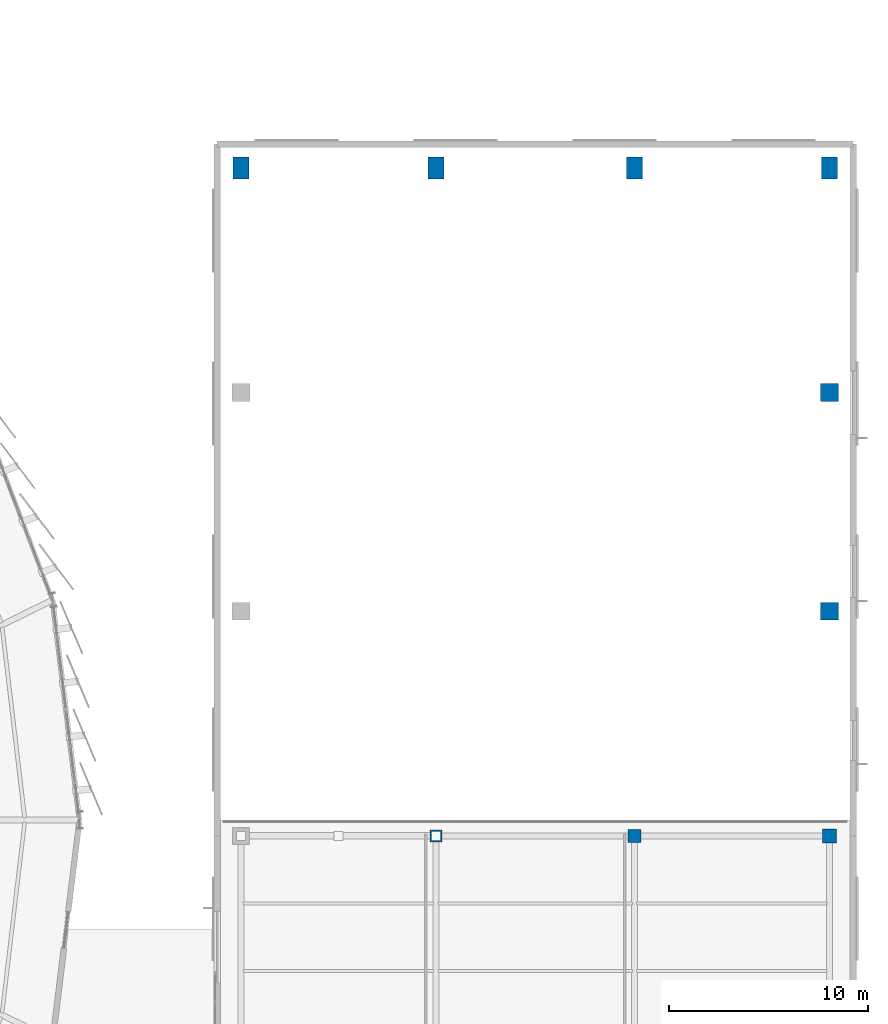
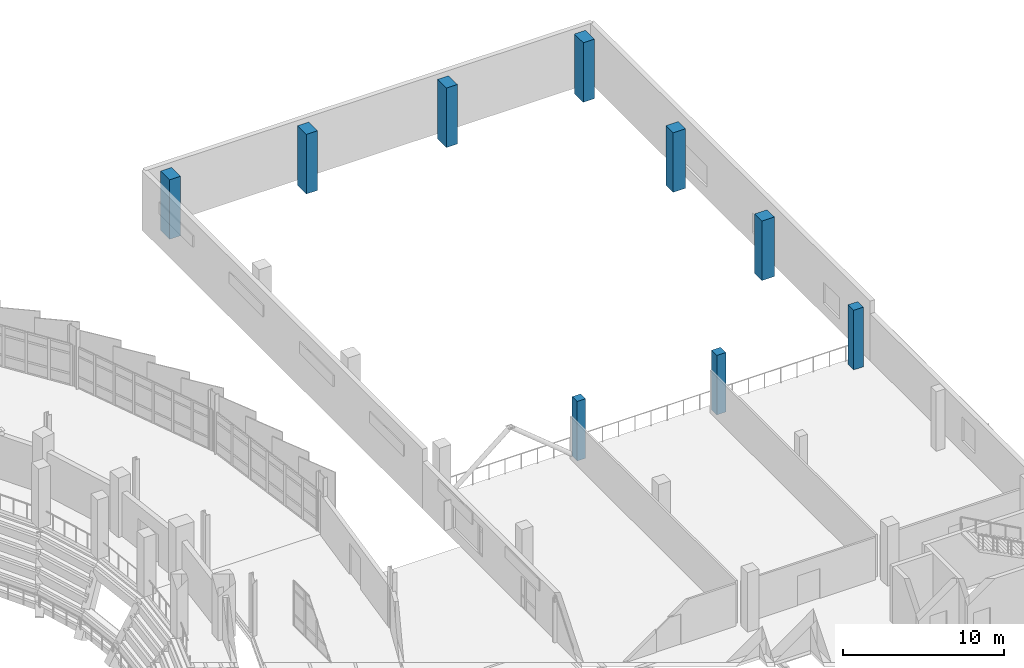
# One storey, part 23 of 134: 9 columns.
"""IFC4 building model written with IfcOpenShell, lengths in metres."""

from ifc_helpers import new_model, si_unit, direction, frame, origin, origin_2d, place, context, subcontext, project, spatial, rectangle, extrude, material, material_profile, profile_set, type_object, element, save


model = new_model("IFC4")

# Units and contexts
model_context = context("Model", 3, precision=1e-05, world=origin(), true_north=direction((0.0, 1.0)))
body_context = subcontext(model_context, "Body", "Model", "MODEL_VIEW")
ifc_project = project(units=[si_unit("LENGTHUNIT", "METRE"), si_unit("AREAUNIT", "SQUARE_METRE"), si_unit("VOLUMEUNIT", "CUBIC_METRE"), si_unit("PLANEANGLEUNIT", "RADIAN"), si_unit("MASSUNIT", "GRAM", prefix="KILO")], contexts=[model_context])

# Site, building, storey
site_placement = place(None, origin())
site = spatial("IfcSite", under=ifc_project, at=site_placement, CompositionType="ELEMENT")
building_placement = place(site_placement, origin())
building = spatial("IfcBuilding", under=site, at=building_placement, Name="Sohan Crest Arena", CompositionType="ELEMENT")
storey_placement = place(building_placement, frame((0.0, 0.0, 4.5)))
storey = spatial("IfcBuildingStorey", under=building, at=storey_placement, Name="L01", CompositionType="ELEMENT", Elevation=4.5)

# Columns
ifc_material = material(Name="Concrete C40/50", Category="concrete")
ifc_material_profile_1 = material_profile(ifc_material, rectangle(XDim=0.60009765625, YDim=0.60009765625, at=origin_2d()), Name="RC 600x600")
ifc_profile_set_1 = profile_set([ifc_material_profile_1], Name="Concrete C40/50")
column_type_1 = type_object("IfcColumnType", Name="STR-COL-C01", PredefinedType="COLUMN", material=ifc_profile_set_1)
column_1_placement = place(storey_placement, frame((206.0, 77.199951171875, 0.0), z_axis=(0.0, 0.0, 1.0), x_axis=(1.0, 0.0, 0.0)))
element("IfcColumn", 1, at=column_1_placement, inside=storey, type_object=column_type_1, Name="Structural column COL-V4S-24-L01", PredefinedType="COLUMN", context=body_context, shape_type="SweptSolid", body=[
    extrude(rectangle(XDim=0.60009765625, YDim=0.60009765625, at=origin_2d()), origin(), (0.0, 0.0, 1.0), 4.5),
])
ifc_material_profile_2 = material_profile(ifc_material, rectangle(XDim=0.64990234375, YDim=0.64990234375, at=origin_2d()), Name="RC 650x650")
ifc_profile_set_2 = profile_set([ifc_material_profile_2], Name="Concrete C40/50")
column_type_2 = type_object("IfcColumnType", Name="STR-COL-C02", PredefinedType="COLUMN", material=ifc_profile_set_2)
column_2_placement = place(storey_placement, frame((216.0, 77.199951171875, 0.0), z_axis=(0.0, 0.0, 1.0), x_axis=(1.0, 0.0, 0.0)))
element("IfcColumn", 2, at=column_2_placement, inside=storey, type_object=column_type_2, Name="Structural column COL-V4S-34-L01", PredefinedType="COLUMN", context=body_context, shape_type="SweptSolid", body=[
    extrude(rectangle(XDim=0.64990234375, YDim=0.64990234375, at=origin_2d()), origin(), (0.0, 0.0, 1.0), 4.5),
])
ifc_material_profile_3 = material_profile(ifc_material, rectangle(XDim=0.699951171875, YDim=0.699951171875, at=origin_2d()), Name="RC 700x700")
ifc_profile_set_3 = profile_set([ifc_material_profile_3], Name="Concrete C40/50")
column_type_3 = type_object("IfcColumnType", Name="STR-COL-C03", PredefinedType="COLUMN", material=ifc_profile_set_3)
column_3_placement = place(storey_placement, frame((225.800048828125, 77.199951171875, 0.0), z_axis=(0.0, 0.0, 1.0), x_axis=(1.0, 0.0, 0.0)))
element("IfcColumn", 3, at=column_3_placement, inside=storey, type_object=column_type_3, Name="Structural column COL-V4S-44-L01", PredefinedType="COLUMN", context=body_context, shape_type="SweptSolid", body=[
    extrude(rectangle(XDim=0.699951171875, YDim=0.699951171875, at=origin_2d()), origin(), (0.0, 0.0, 1.0), 4.5),
])
ifc_material_profile_4 = material_profile(ifc_material, rectangle(XDim=0.89990234375, YDim=0.89990234375, at=origin_2d()), Name="RC 900x900")
ifc_profile_set_4 = profile_set([ifc_material_profile_4], Name="Concrete C40/50")
column_type_4 = type_object("IfcColumnType", Name="STR-COL-C07", PredefinedType="COLUMN", material=ifc_profile_set_4)
for number, where, z_axis, x_axis, name in (
    (4, (225.800048828125, 88.5, 0.0), (0.0, 0.0, 1.0), (1.0, 0.0, 0.0), "Structural column COL-V4G-E1-L01"),
    (5, (225.800048828125, 99.5, 0.0), (0.0, 0.0, 1.0), (1.0, 0.0, 0.0), "Structural column COL-V4G-E2-L01"),
):
    element("IfcColumn", number, at=place(storey_placement, frame(where, z_axis=z_axis, x_axis=x_axis)), inside=storey, type_object=column_type_4, Name=name, PredefinedType="COLUMN", context=body_context, shape_type="SweptSolid", body=[
        extrude(rectangle(XDim=0.89990234375, YDim=0.89990234375, at=origin_2d()), origin(), (0.0, 0.0, 1.0), 4.5),
    ])
ifc_material_profile_5 = material_profile(ifc_material, rectangle(XDim=1.10009765625, YDim=0.800048828125, at=origin_2d()), Name="RC 1100x800")
ifc_profile_set_5 = profile_set([ifc_material_profile_5], Name="Concrete C40/50")
column_type_5 = type_object("IfcColumnType", Name="STR-COL-C10", PredefinedType="COLUMN", material=ifc_profile_set_5)
for number, where, z_axis, x_axis, name in (
    (6, (196.199951171875, 110.800048828125, 0.0), (0.0, 0.0, 1.0), (0.0, 1.0, 0.0), "Structural column COL-V4N-1-L01"),
    (7, (206.0, 110.800048828125, 0.0), (0.0, 0.0, 1.0), (0.0, 1.0, 0.0), "Structural column COL-V4N-2-L01"),
    (8, (216.0, 110.800048828125, 0.0), (0.0, 0.0, 1.0), (0.0, 1.0, 0.0), "Structural column COL-V4N-3-L01"),
    (9, (225.800048828125, 110.800048828125, 0.0), (0.0, 0.0, 1.0), (0.0, 1.0, 0.0), "Structural column COL-V4N-4-L01"),
):
    element("IfcColumn", number, at=place(storey_placement, frame(where, z_axis=z_axis, x_axis=x_axis)), inside=storey, type_object=column_type_5, Name=name, PredefinedType="COLUMN", context=body_context, shape_type="SweptSolid", body=[
        extrude(rectangle(XDim=1.10009765625, YDim=0.800048828125, at=origin_2d()), origin(), (0.0, 0.0, 1.0), 4.5),
    ])

save(model, "model.ifc")
